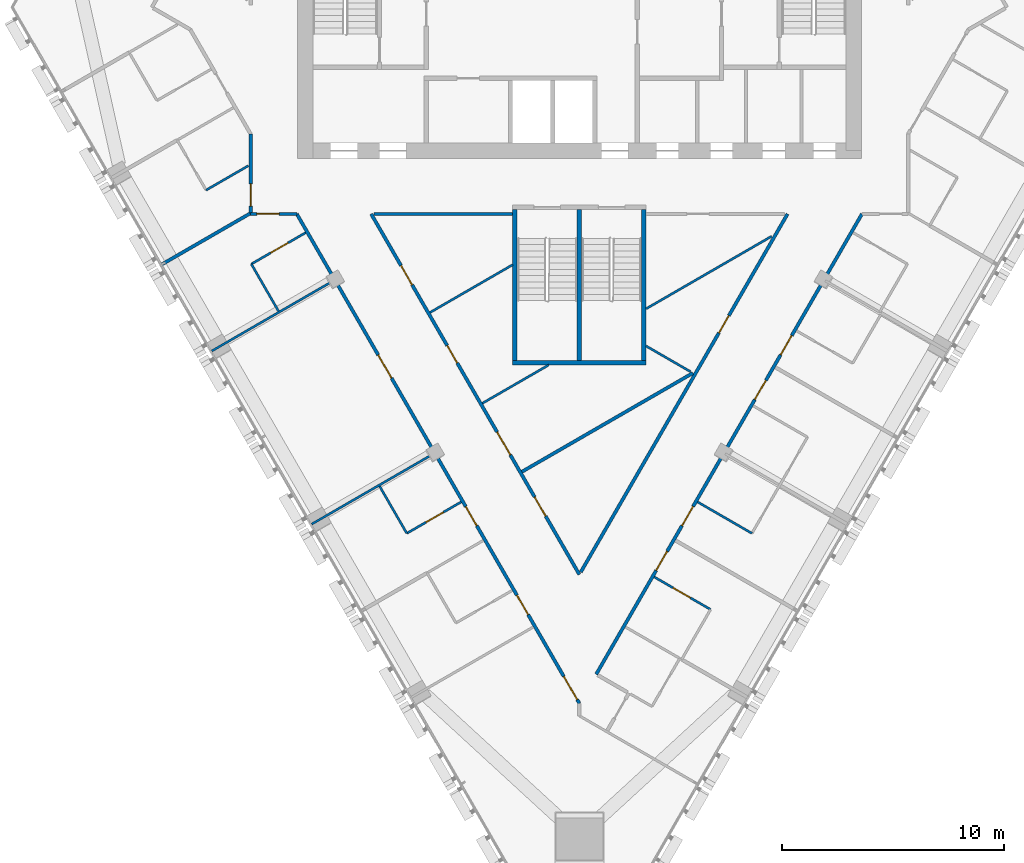
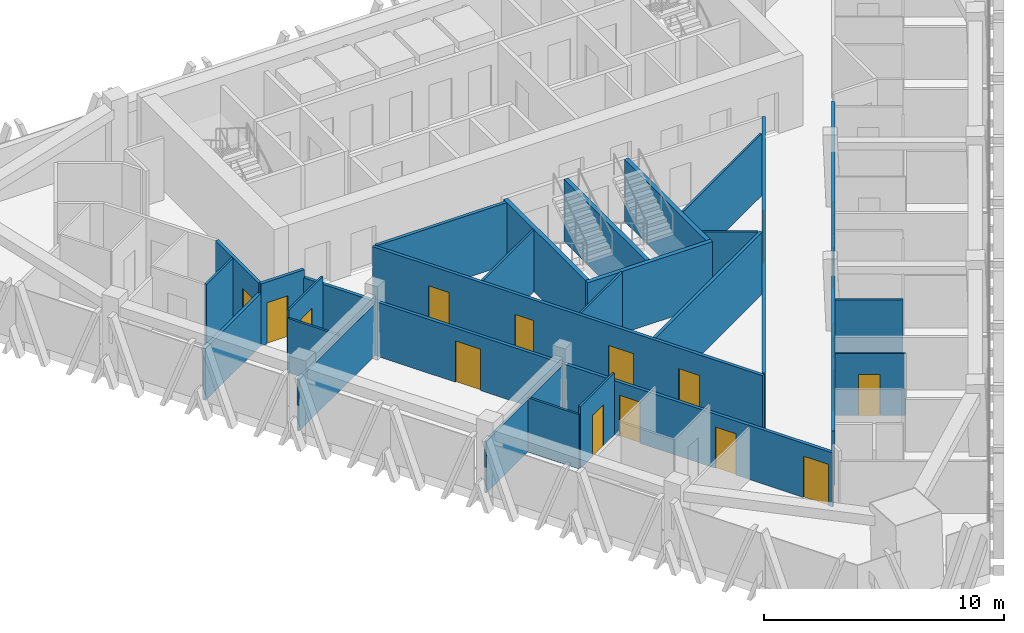
# One storey, part 9 of 16: 26 walls, 18 doors, 18 openings.
"""IFC4 building model written with IfcOpenShell, lengths in metres."""

from ifc_helpers import new_model, si_unit, direction, frame, frame_2d, origin, place, context, subcontext, project, spatial, rectangle, extrude, material, layer, layer_set, type_object, element, fill, save


model = new_model("IFC4")

# Units and contexts
model_context = context("Model", 3, precision=1e-05, world=origin(), true_north=direction((0.0, 1.0)))
body_context = subcontext(model_context, "Body", "Model", "MODEL_VIEW")
ifc_project = project(units=[si_unit("LENGTHUNIT", "METRE"), si_unit("AREAUNIT", "SQUARE_METRE"), si_unit("VOLUMEUNIT", "CUBIC_METRE"), si_unit("PLANEANGLEUNIT", "RADIAN"), si_unit("MASSUNIT", "GRAM", prefix="KILO")], contexts=[model_context])

# Site, building, storey
site_placement = place(None, origin())
site = spatial("IfcSite", under=ifc_project, at=site_placement, CompositionType="ELEMENT")
building_placement = place(site_placement, origin())
building = spatial("IfcBuilding", under=site, at=building_placement, Name="Altiplano Prism Tower", CompositionType="ELEMENT")
storey_placement = place(building_placement, frame((0.0, 0.0, 198.0)))
storey = spatial("IfcBuildingStorey", under=building, at=storey_placement, Name="L51", CompositionType="ELEMENT", Elevation=198.0)

# Walls
ifc_material_1 = material(Name="Plasterboard on steel stud", Category="steel")
ifc_layer_1 = layer(ifc_material_1, 0.10009765625)
ifc_layer_set_1 = layer_set([ifc_layer_1], Name="Plasterboard on steel stud")
wall_type_1 = type_object("IfcWallType", Name="Partition 100 unit", PredefinedType="PARTITIONING", material=ifc_layer_set_1)
wall_1_placement = place(storey_placement, frame((70.10009765625, 92.37109375, 0.0), z_axis=(0.0, 0.0, 1.0), x_axis=(-0.865995312553, -0.50005211592, 0.0)))
element("IfcWall", 1, at=wall_1_placement, inside=storey, type_object=wall_type_1, Name="Partition P02 L51 038", PredefinedType="PARTITIONING", context=body_context, shape_type="SweptSolid", body=[
    extrude(rectangle(XDim=2.200927734375, YDim=0.10009765625, at=frame_2d((1.1005859375, 0.0))), origin(), (0.0, 0.0, 1.0), 3.14990234375),
])
wall_2_placement = place(storey_placement, frame((71.45556640625, 85.8212890625, 0.0), z_axis=(0.0, 0.0, 1.0), x_axis=(-0.499943856944, 0.866057815567, 0.0)))
element("IfcWall", 2, at=wall_2_placement, inside=storey, type_object=wall_type_1, Name="Partition P02 L51 041", PredefinedType="PARTITIONING", context=body_context, shape_type="SweptSolid", body=[
    extrude(rectangle(XDim=2.449951171875, YDim=0.10009765625, at=frame_2d((1.22509765625, 0.0))), origin(), (0.0, 0.0, 1.0), 2.75),
])

# Wall, opening, door
wall_3_placement = place(storey_placement, frame((70.230712890625, 87.943115234375, 0.0), z_axis=(0.0, 0.0, 1.0), x_axis=(0.866011447264, 0.500024172624, 0.0)))
wall_3 = element("IfcWall", 3, at=wall_3_placement, inside=storey, type_object=wall_type_1, Name="Partition P02 L51 042", PredefinedType="PARTITIONING", context=body_context, shape_type="SweptSolid", body=[
    extrude(rectangle(XDim=2.824951171875, YDim=0.10009765625, at=frame_2d((1.41259765625, 0.0))), origin(), (0.0, 0.0, 1.0), 3.14990234375),
])
opening_1_placement = place(wall_3_placement, frame((1.0, 0.0, 0.0)))
opening_1 = element("IfcOpeningElement", 4, at=opening_1_placement, cuts=wall_3, Name="Opening D1783", PredefinedType="OPENING", context=body_context, shape_type="SweptSolid", body=[
    extrude(rectangle(XDim=0.89990234375, YDim=2.10009765625, at=frame_2d((0.449951171875, 1.050048828125))), frame((0.0, 0.060546875, 0.0), z_axis=(0.0, -1.0, 0.0), x_axis=(1.0, 0.0, 0.0)), (0.0, 0.0, 1.0), 0.12109375),
])
ifc_material_2 = material(Name="Timber", Category="wood")
door_type_1 = type_object("IfcDoorType", Name="Ensuite door 900 x 2100", OperationType="NOTDEFINED", PredefinedType="NOTDEFINED", material=ifc_material_2)
door_1_placement = place(opening_1_placement, origin())
door_1 = element("IfcDoor", 5, at=door_1_placement, inside=storey, type_object=door_type_1, Name="Door D1783", OperationType="SINGLE_SWING_LEFT", OverallHeight=2.10009765625, OverallWidth=0.89990234375, PredefinedType="NOTDEFINED", context=body_context, shape_type="SweptSolid", body=[
    extrude(rectangle(XDim=0.89990234375, YDim=2.10009765625, at=frame_2d((0.449951171875, 1.050048828125))), frame((0.0, 0.02490234375, 0.0), z_axis=(0.0, -1.0, 0.0), x_axis=(1.0, 0.0, 0.0)), (0.0, 0.0, 1.0), 0.050048828125),
])
fill(opening_1, door_1)

wall_4_placement = place(storey_placement, frame((79.67724609375, 77.231201171875, 0.0), z_axis=(0.0, 0.0, 1.0), x_axis=(-0.866048868473, -0.499959355765, 0.0)))
wall_4 = element("IfcWall", 6, at=wall_4_placement, inside=storey, type_object=wall_type_1, Name="Partition P02 L51 045", PredefinedType="PARTITIONING", context=body_context, shape_type="SweptSolid", body=[
    extrude(rectangle(XDim=2.824951171875, YDim=0.10009765625, at=frame_2d((1.41259765625, 0.0))), origin(), (0.0, 0.0, 1.0), 3.14990234375),
])
opening_2_placement = place(wall_4_placement, frame((0.925048828125, 0.0, 0.0)))
opening_2 = element("IfcOpeningElement", 7, at=opening_2_placement, cuts=wall_4, Name="Opening D1786", PredefinedType="OPENING", context=body_context, shape_type="SweptSolid", body=[
    extrude(rectangle(XDim=0.89990234375, YDim=2.10009765625, at=frame_2d((0.449951171875, 1.050048828125))), frame((0.0, 0.060546875, 0.0), z_axis=(0.0, -1.0, 0.0), x_axis=(1.0, 0.0, 0.0)), (0.0, 0.0, 1.0), 0.12109375),
])
door_2_placement = place(opening_2_placement, origin())
door_2 = element("IfcDoor", 8, at=door_2_placement, inside=storey, type_object=door_type_1, Name="Door D1786", OperationType="SINGLE_SWING_LEFT", OverallHeight=2.10009765625, OverallWidth=0.89990234375, PredefinedType="NOTDEFINED", context=body_context, shape_type="SweptSolid", body=[
    extrude(rectangle(XDim=0.89990234375, YDim=2.10009765625, at=frame_2d((0.449951171875, 1.050048828125))), frame((0.0, 0.02490234375, 0.0), z_axis=(0.0, -1.0, 0.0), x_axis=(1.0, 0.0, 0.0)), (0.0, 0.0, 1.0), 0.050048828125),
])
fill(opening_2, door_2)

# Wall
wall_5_placement = place(storey_placement, frame((77.230712890625, 75.81884765625, 0.0), z_axis=(0.0, 0.0, 1.0), x_axis=(-0.500061746146, 0.865989751695, 0.0)))
element("IfcWall", 9, at=wall_5_placement, inside=storey, type_object=wall_type_1, Name="Partition P02 L51 046", PredefinedType="PARTITIONING", context=body_context, shape_type="SweptSolid", body=[
    extrude(rectangle(XDim=2.449951171875, YDim=0.10009765625, at=frame_2d((1.22509765625, 0.0))), origin(), (0.0, 0.0, 1.0), 2.75),
])

# Wall, opening, door
wall_6_placement = place(storey_placement, frame((88.372802734375, 73.853759765625, 0.0), z_axis=(0.0, 0.0, 1.0), x_axis=(0.866046596414, -0.499963291492, 0.0)))
wall_6 = element("IfcWall", 10, at=wall_6_placement, inside=storey, type_object=wall_type_1, Name="Partition P02 L51 057", PredefinedType="PARTITIONING", context=body_context, shape_type="SweptSolid", body=[
    extrude(rectangle(XDim=2.925048828125, YDim=0.10009765625, at=frame_2d((1.46240234375, 0.0))), origin(), (0.0, 0.0, 1.0), 3.14990234375),
])
opening_3_placement = place(wall_6_placement, frame((0.97509765625, 0.0, 0.0)))
opening_3 = element("IfcOpeningElement", 11, at=opening_3_placement, cuts=wall_6, Name="Opening D1793", PredefinedType="OPENING", context=body_context, shape_type="SweptSolid", body=[
    extrude(rectangle(XDim=0.89990234375, YDim=2.10009765625, at=frame_2d((0.449951171875, 1.050048828125))), frame((0.0, 0.060546875, 0.0), z_axis=(0.0, -1.0, 0.0), x_axis=(1.0, 0.0, 0.0)), (0.0, 0.0, 1.0), 0.12109375),
])
door_3_placement = place(opening_3_placement, origin())
door_3 = element("IfcDoor", 12, at=door_3_placement, inside=storey, type_object=door_type_1, Name="Door D1793", OperationType="SINGLE_SWING_RIGHT", OverallHeight=2.10009765625, OverallWidth=0.89990234375, PredefinedType="NOTDEFINED", context=body_context, shape_type="SweptSolid", body=[
    extrude(rectangle(XDim=0.89990234375, YDim=2.10009765625, at=frame_2d((0.449951171875, 1.050048828125))), frame((0.0, 0.02490234375, 0.0), z_axis=(0.0, -1.0, 0.0), x_axis=(1.0, 0.0, 0.0)), (0.0, 0.0, 1.0), 0.050048828125),
])
fill(opening_3, door_3)

# Walls
wall_7_placement = place(storey_placement, frame((92.769287109375, 75.81884765625, 0.0), z_axis=(0.0, 0.0, 1.0), x_axis=(-0.866048868473, 0.499959355765, 0.0)))
element("IfcWall", 13, at=wall_7_placement, inside=storey, type_object=wall_type_1, Name="Partition P02 L51 060", PredefinedType="PARTITIONING", context=body_context, shape_type="SweptSolid", body=[
    extrude(rectangle(XDim=2.824951171875, YDim=0.10009765625, at=frame_2d((1.41259765625, 0.0))), origin(), (0.0, 0.0, 1.0), 3.14990234375),
])
ifc_layer_2 = layer(ifc_material_1, 0.10009765625)
ifc_layer_set_2 = layer_set([ifc_layer_2], Name="Plasterboard on steel stud")
wall_type_2 = type_object("IfcWallType", Name="Partition 100 wet", PredefinedType="PARTITIONING", material=ifc_layer_set_2)
wall_8_placement = place(storey_placement, frame((93.656005859375, 89.193115234375, 0.0), z_axis=(0.0, 0.0, 1.0), x_axis=(-0.866016884399, -0.500014755718, 0.0)))
element("IfcWall", 14, at=wall_8_placement, inside=storey, type_object=wall_type_2, Name="Partition P03 L51 028", PredefinedType="PARTITIONING", context=body_context, shape_type="SweptSolid", body=[
    extrude(rectangle(XDim=6.531005859375, YDim=0.10009765625, at=frame_2d((3.265625, 0.0))), origin(), (0.0, 0.0, 1.0), 3.14990234375),
])
wall_9_placement = place(storey_placement, frame((88.0, 84.25390625, 0.0), z_axis=(0.0, 0.0, 1.0), x_axis=(0.866020945878, -0.500007721242, 0.0)))
element("IfcWall", 15, at=wall_9_placement, inside=storey, type_object=wall_type_2, Name="Partition P03 L51 029", PredefinedType="PARTITIONING", context=body_context, shape_type="SweptSolid", body=[
    extrude(rectangle(XDim=2.3212890625, YDim=0.10009765625, at=frame_2d((1.16064453125, 0.0))), origin(), (0.0, 0.0, 1.0), 3.14990234375),
])
wall_10_placement = place(storey_placement, frame((82.0, 87.912353515625, 0.0), z_axis=(0.0, 0.0, 1.0), x_axis=(-0.866016384689, -0.500015621205, 0.0)))
element("IfcWall", 16, at=wall_10_placement, inside=storey, type_object=wall_type_2, Name="Partition P03 L51 030", PredefinedType="PARTITIONING", context=body_context, shape_type="SweptSolid", body=[
    extrude(rectangle(XDim=4.301025390625, YDim=0.10009765625, at=frame_2d((2.150390625, 0.0))), origin(), (0.0, 0.0, 1.0), 3.14990234375),
])
wall_11_placement = place(storey_placement, frame((80.634521484375, 81.675048828125, 0.0), z_axis=(0.0, 0.0, 1.0), x_axis=(0.86602648383, 0.499998129301, 0.0)))
element("IfcWall", 17, at=wall_11_placement, inside=storey, type_object=wall_type_2, Name="Partition P03 L51 031", PredefinedType="PARTITIONING", context=body_context, shape_type="SweptSolid", body=[
    extrude(rectangle(XDim=3.44970703125, YDim=0.10009765625, at=frame_2d((1.724853515625, 0.0))), origin(), (0.0, 0.0, 1.0), 3.14990234375),
])
for number, where, z_axis, x_axis, name in (
    (18, (68.449462890625, 84.028076171875, 0.0), (0.0, 0.0, 1.0), (0.866025537322, 0.499999768706, 0.0), "Partition P03 L51 043"),
    (19, (72.949462890625, 76.23388671875, 0.0), (0.0, 0.0, 1.0), (0.866042250622, 0.499970819286, 0.0), "Partition P03 L51 044"),
):
    element("IfcWall", number, at=place(storey_placement, frame(where, z_axis=z_axis, x_axis=x_axis)), inside=storey, type_object=wall_type_2, Name=name, PredefinedType="PARTITIONING", context=body_context, shape_type="SweptSolid", body=[
        extrude(rectangle(XDim=6.3251953125, YDim=0.10009765625, at=frame_2d((3.16259765625, 0.0))), origin(), (0.0, 0.0, 1.0), 2.64990234375),
    ])

# Wall, openings, doors
ifc_layer_3 = layer(ifc_material_1, 0.14990234375)
ifc_layer_set_3 = layer_set([ifc_layer_3], Name="Plasterboard on steel stud")
wall_type_3 = type_object("IfcWallType", Name="Partition 150 corridor", PredefinedType="PARTITIONING", material=ifc_layer_set_3)
wall_12_placement = place(storey_placement, frame((85.0, 73.9638671875, 0.0), z_axis=(0.0, 0.0, 1.0), x_axis=(-0.499997894635, 0.866026619314, 0.0)))
wall_12 = element("IfcWall", 20, at=wall_12_placement, inside=storey, type_object=wall_type_3, Name="Partition P06 L51 002", PredefinedType="PARTITIONING", context=body_context, shape_type="SweptSolid", body=[
    extrude(rectangle(XDim=18.74658203125, YDim=0.14990234375, at=frame_2d((9.373291015625, 0.0))), origin(), (0.0, 0.0, 1.0), 3.14990234375),
])
opening_4_placement = place(wall_12_placement, frame((11.001953125, 0.0, 0.0)))
opening_4 = element("IfcOpeningElement", 21, at=opening_4_placement, cuts=wall_12, Name="Opening D1775", PredefinedType="OPENING", context=body_context, shape_type="SweptSolid", body=[
    extrude(rectangle(XDim=0.89990234375, YDim=2.10009765625, at=frame_2d((0.449951171875, 1.050048828125))), frame((0.0, 0.08544921875, 0.0), z_axis=(0.0, -1.0, 0.0), x_axis=(1.0, 0.0, 0.0)), (0.0, 0.0, 1.0), 0.1708984375),
])
opening_5_placement = place(wall_12_placement, frame((15.06103515625, 0.0, 0.0)))
opening_5 = element("IfcOpeningElement", 22, at=opening_5_placement, cuts=wall_12, Name="Opening D1777", PredefinedType="OPENING", context=body_context, shape_type="SweptSolid", body=[
    extrude(rectangle(XDim=1.0, YDim=2.10009765625, at=frame_2d((0.5, 1.050048828125))), frame((0.0, 0.08544921875, 0.0), z_axis=(0.0, -1.0, 0.0), x_axis=(1.0, 0.0, 0.0)), (0.0, 0.0, 1.0), 0.1708984375),
])
opening_6_placement = place(wall_12_placement, frame((3.032958984375, 0.0, 0.0)))
opening_6 = element("IfcOpeningElement", 23, at=opening_6_placement, cuts=wall_12, Name="Opening D1808", PredefinedType="OPENING", context=body_context, shape_type="SweptSolid", body=[
    extrude(rectangle(XDim=1.0, YDim=2.10009765625, at=frame_2d((0.5, 1.050048828125))), frame((0.0, 0.08544921875, 0.0), z_axis=(0.0, -1.0, 0.0), x_axis=(1.0, 0.0, 0.0)), (0.0, 0.0, 1.0), 0.1708984375),
])
opening_7_placement = place(wall_12_placement, frame((6.212890625, 0.0, 0.0)))
opening_7 = element("IfcOpeningElement", 24, at=opening_7_placement, cuts=wall_12, Name="Opening D1809", PredefinedType="OPENING", context=body_context, shape_type="SweptSolid", body=[
    extrude(rectangle(XDim=1.199951171875, YDim=2.10009765625, at=frame_2d((0.60009765625, 1.050048828125))), frame((0.0, 0.08544921875, 0.0), z_axis=(0.0, -1.0, 0.0), x_axis=(1.0, 0.0, 0.0)), (0.0, 0.0, 1.0), 0.1708984375),
])
door_type_2 = type_object("IfcDoorType", Name="Shared room door 1200 x 2100", OperationType="NOTDEFINED", PredefinedType="NOTDEFINED", material=ifc_material_2)
door_4_placement = place(opening_7_placement, origin())
door_4 = element("IfcDoor", 25, at=door_4_placement, inside=storey, type_object=door_type_2, Name="Door D1809", OperationType="SINGLE_SWING_RIGHT", OverallHeight=2.10009765625, OverallWidth=1.199951171875, PredefinedType="NOTDEFINED", context=body_context, shape_type="SweptSolid", body=[
    extrude(rectangle(XDim=1.199951171875, YDim=2.10009765625, at=frame_2d((0.60009765625, 1.050048828125))), frame((0.0, 0.02490234375, 0.0), z_axis=(0.0, -1.0, 0.0), x_axis=(1.0, 0.0, 0.0)), (0.0, 0.0, 1.0), 0.050048828125),
])
fill(opening_7, door_4)
door_type_3 = type_object("IfcDoorType", Name="Store door 1000 x 2100", OperationType="NOTDEFINED", PredefinedType="NOTDEFINED", material=ifc_material_2)
door_5_placement = place(opening_5_placement, origin())
door_5 = element("IfcDoor", 26, at=door_5_placement, inside=storey, type_object=door_type_3, Name="Door D1777", OperationType="SINGLE_SWING_LEFT", OverallHeight=2.10009765625, OverallWidth=1.0, PredefinedType="NOTDEFINED", context=body_context, shape_type="SweptSolid", body=[
    extrude(rectangle(XDim=1.0, YDim=2.10009765625, at=frame_2d((0.5, 1.050048828125))), frame((0.0, 0.02490234375, 0.0), z_axis=(0.0, -1.0, 0.0), x_axis=(1.0, 0.0, 0.0)), (0.0, 0.0, 1.0), 0.050048828125),
])
fill(opening_5, door_5)
door_6_placement = place(opening_6_placement, origin())
door_6 = element("IfcDoor", 27, at=door_6_placement, inside=storey, type_object=door_type_3, Name="Door D1808", OperationType="SINGLE_SWING_RIGHT", OverallHeight=2.10009765625, OverallWidth=1.0, PredefinedType="NOTDEFINED", context=body_context, shape_type="SweptSolid", body=[
    extrude(rectangle(XDim=1.0, YDim=2.10009765625, at=frame_2d((0.5, 1.050048828125))), frame((0.0, 0.02490234375, 0.0), z_axis=(0.0, -1.0, 0.0), x_axis=(1.0, 0.0, 0.0)), (0.0, 0.0, 1.0), 0.050048828125),
])
fill(opening_6, door_6)
door_type_4 = type_object("IfcDoorType", Name="Toilet door 900 x 2100", OperationType="NOTDEFINED", PredefinedType="NOTDEFINED", material=ifc_material_2)
door_7_placement = place(opening_4_placement, origin())
door_7 = element("IfcDoor", 28, at=door_7_placement, inside=storey, type_object=door_type_4, Name="Door D1775", OperationType="SINGLE_SWING_RIGHT", OverallHeight=2.10009765625, OverallWidth=0.89990234375, PredefinedType="NOTDEFINED", context=body_context, shape_type="SweptSolid", body=[
    extrude(rectangle(XDim=0.89990234375, YDim=2.10009765625, at=frame_2d((0.449951171875, 1.050048828125))), frame((0.0, 0.02490234375, 0.0), z_axis=(0.0, -1.0, 0.0), x_axis=(1.0, 0.0, 0.0)), (0.0, 0.0, 1.0), 0.050048828125),
])
fill(opening_4, door_7)

# Wall
wall_13_placement = place(storey_placement, frame((75.756591796875, 90.198974609375, 0.0), z_axis=(0.0, 0.0, 1.0), x_axis=(1.0, 0.0, 0.0)))
element("IfcWall", 29, at=wall_13_placement, inside=storey, type_object=wall_type_3, Name="Partition P06 L51 003", PredefinedType="PARTITIONING", context=body_context, shape_type="SweptSolid", body=[
    extrude(rectangle(XDim=6.243408203125, YDim=0.14990234375, at=frame_2d((3.12158203125, 0.0))), origin(), (0.0, 0.0, 1.0), 3.14990234375),
])

# Wall, opening, door
wall_14_placement = place(storey_placement, frame((70.199951171875, 93.796142578125, 0.0), z_axis=(0.0, 0.0, 1.0), x_axis=(0.0, -1.0, 0.0)))
wall_14 = element("IfcWall", 30, at=wall_14_placement, inside=storey, type_object=wall_type_3, Name="Partition P06 L51 005", PredefinedType="PARTITIONING", context=body_context, shape_type="SweptSolid", body=[
    extrude(rectangle(XDim=3.561279296875, YDim=0.14990234375, at=frame_2d((1.78076171875, 0.0))), origin(), (0.0, 0.0, 1.0), 3.14990234375),
])
opening_8_placement = place(wall_14_placement, frame((2.24609375, 0.0, 0.0)))
opening_8 = element("IfcOpeningElement", 31, at=opening_8_placement, cuts=wall_14, Name="Opening D1780", PredefinedType="OPENING", context=body_context, shape_type="SweptSolid", body=[
    extrude(rectangle(XDim=1.0, YDim=2.10009765625, at=frame_2d((0.5, 1.050048828125))), frame((0.0, 0.08544921875, 0.0), z_axis=(0.0, -1.0, 0.0), x_axis=(1.0, 0.0, 0.0)), (0.0, 0.0, 1.0), 0.1708984375),
])
door_type_5 = type_object("IfcDoorType", Name="Bedroom entrance door 1000 x 2100", OperationType="NOTDEFINED", PredefinedType="NOTDEFINED", material=ifc_material_2)
door_8_placement = place(opening_8_placement, origin())
door_8 = element("IfcDoor", 32, at=door_8_placement, inside=storey, type_object=door_type_5, Name="Door D1780", OperationType="SINGLE_SWING_RIGHT", OverallHeight=2.10009765625, OverallWidth=1.0, PredefinedType="NOTDEFINED", context=body_context, shape_type="SweptSolid", body=[
    extrude(rectangle(XDim=1.0, YDim=2.10009765625, at=frame_2d((0.5, 1.050048828125))), frame((0.0, 0.02490234375, 0.0), z_axis=(0.0, -1.0, 0.0), x_axis=(1.0, 0.0, 0.0)), (0.0, 0.0, 1.0), 0.050048828125),
])
fill(opening_8, door_8)

wall_15_placement = place(storey_placement, frame((70.199951171875, 90.199951171875, 0.0), z_axis=(0.0, 0.0, 1.0), x_axis=(1.0, 0.0, 0.0)))
wall_15 = element("IfcWall", 33, at=wall_15_placement, inside=storey, type_object=wall_type_3, Name="Partition P06 L51 006", PredefinedType="PARTITIONING", context=body_context, shape_type="SweptSolid", body=[
    extrude(rectangle(XDim=2.076416015625, YDim=0.14990234375, at=frame_2d((1.0380859375, 0.0))), origin(), (0.0, 0.0, 1.0), 3.14990234375),
])
opening_9_placement = place(wall_15_placement, frame((0.279052734375, 0.0, 0.0)))
opening_9 = element("IfcOpeningElement", 34, at=opening_9_placement, cuts=wall_15, Name="Opening D1782", PredefinedType="OPENING", context=body_context, shape_type="SweptSolid", body=[
    extrude(rectangle(XDim=1.0, YDim=2.10009765625, at=frame_2d((0.5, 1.050048828125))), frame((0.0, 0.08544921875, 0.0), z_axis=(0.0, -1.0, 0.0), x_axis=(1.0, 0.0, 0.0)), (0.0, 0.0, 1.0), 0.1708984375),
])
door_9_placement = place(opening_9_placement, origin())
door_9 = element("IfcDoor", 35, at=door_9_placement, inside=storey, type_object=door_type_5, Name="Door D1782", OperationType="SINGLE_SWING_RIGHT", OverallHeight=2.10009765625, OverallWidth=1.0, PredefinedType="NOTDEFINED", context=body_context, shape_type="SweptSolid", body=[
    extrude(rectangle(XDim=1.0, YDim=2.10009765625, at=frame_2d((0.5, 1.050048828125))), frame((0.0, 0.02490234375, 0.0), z_axis=(0.0, -1.0, 0.0), x_axis=(1.0, 0.0, 0.0)), (0.0, 0.0, 1.0), 0.050048828125),
])
fill(opening_9, door_9)

# Wall, openings, doors
wall_16_placement = place(storey_placement, frame((72.2763671875, 90.199951171875, 0.0), z_axis=(0.0, 0.0, 1.0), x_axis=(0.499998171638, -0.866026459387, 0.0)))
wall_16 = element("IfcWall", 36, at=wall_16_placement, inside=storey, type_object=wall_type_3, Name="Partition P06 L51 007", PredefinedType="PARTITIONING", context=body_context, shape_type="SweptSolid", body=[
    extrude(rectangle(XDim=25.447265625, YDim=0.14990234375, at=frame_2d((12.7236328125, 0.0))), origin(), (0.0, 0.0, 1.0), 2.75),
])
opening_10_placement = place(wall_16_placement, frame((7.33203125, 0.0, 0.0)))
opening_10 = element("IfcOpeningElement", 37, at=opening_10_placement, cuts=wall_16, Name="Opening D1784", PredefinedType="OPENING", context=body_context, shape_type="SweptSolid", body=[
    extrude(rectangle(XDim=1.199951171875, YDim=2.10009765625, at=frame_2d((0.60009765625, 1.050048828125))), frame((0.0, 0.08544921875, 0.0), z_axis=(0.0, -1.0, 0.0), x_axis=(1.0, 0.0, 0.0)), (0.0, 0.0, 1.0), 0.1708984375),
])
opening_11_placement = place(wall_16_placement, frame((15.2109375, 0.0, 0.0)))
opening_11 = element("IfcOpeningElement", 38, at=opening_11_placement, cuts=wall_16, Name="Opening D1785", PredefinedType="OPENING", context=body_context, shape_type="SweptSolid", body=[
    extrude(rectangle(XDim=1.0, YDim=2.10009765625, at=frame_2d((0.5, 1.050048828125))), frame((0.0, 0.08544921875, 0.0), z_axis=(0.0, -1.0, 0.0), x_axis=(1.0, 0.0, 0.0)), (0.0, 0.0, 1.0), 0.1708984375),
])
opening_12_placement = place(wall_16_placement, frame((19.826904296875, 0.0, 0.0)))
opening_12 = element("IfcOpeningElement", 39, at=opening_12_placement, cuts=wall_16, Name="Opening D1787", PredefinedType="OPENING", context=body_context, shape_type="SweptSolid", body=[
    extrude(rectangle(XDim=1.0, YDim=2.10009765625, at=frame_2d((0.5, 1.050048828125))), frame((0.0, 0.08544921875, 0.0), z_axis=(0.0, -1.0, 0.0), x_axis=(1.0, 0.0, 0.0)), (0.0, 0.0, 1.0), 0.1708984375),
])
opening_13_placement = place(wall_16_placement, frame((24.047119140625, 0.0, 0.0)))
opening_13 = element("IfcOpeningElement", 40, at=opening_13_placement, cuts=wall_16, Name="Opening D1789", PredefinedType="OPENING", context=body_context, shape_type="SweptSolid", body=[
    extrude(rectangle(XDim=1.199951171875, YDim=2.10009765625, at=frame_2d((0.60009765625, 1.050048828125))), frame((0.0, 0.08544921875, 0.0), z_axis=(0.0, -1.0, 0.0), x_axis=(1.0, 0.0, 0.0)), (0.0, 0.0, 1.0), 0.1708984375),
])
door_10_placement = place(opening_11_placement, origin())
door_10 = element("IfcDoor", 41, at=door_10_placement, inside=storey, type_object=door_type_5, Name="Door D1785", OperationType="SINGLE_SWING_LEFT", OverallHeight=2.10009765625, OverallWidth=1.0, PredefinedType="NOTDEFINED", context=body_context, shape_type="SweptSolid", body=[
    extrude(rectangle(XDim=1.0, YDim=2.10009765625, at=frame_2d((0.5, 1.050048828125))), frame((0.0, 0.02490234375, 0.0), z_axis=(0.0, -1.0, 0.0), x_axis=(1.0, 0.0, 0.0)), (0.0, 0.0, 1.0), 0.050048828125),
])
fill(opening_11, door_10)
door_11_placement = place(opening_12_placement, origin())
door_11 = element("IfcDoor", 42, at=door_11_placement, inside=storey, type_object=door_type_5, Name="Door D1787", OperationType="SINGLE_SWING_LEFT", OverallHeight=2.10009765625, OverallWidth=1.0, PredefinedType="NOTDEFINED", context=body_context, shape_type="SweptSolid", body=[
    extrude(rectangle(XDim=1.0, YDim=2.10009765625, at=frame_2d((0.5, 1.050048828125))), frame((0.0, 0.02490234375, 0.0), z_axis=(0.0, -1.0, 0.0), x_axis=(1.0, 0.0, 0.0)), (0.0, 0.0, 1.0), 0.050048828125),
])
fill(opening_12, door_11)
door_12_placement = place(opening_10_placement, origin())
door_12 = element("IfcDoor", 43, at=door_12_placement, inside=storey, type_object=door_type_2, Name="Door D1784", OperationType="SINGLE_SWING_LEFT", OverallHeight=2.10009765625, OverallWidth=1.199951171875, PredefinedType="NOTDEFINED", context=body_context, shape_type="SweptSolid", body=[
    extrude(rectangle(XDim=1.199951171875, YDim=2.10009765625, at=frame_2d((0.60009765625, 1.050048828125))), frame((0.0, 0.02490234375, 0.0), z_axis=(0.0, -1.0, 0.0), x_axis=(1.0, 0.0, 0.0)), (0.0, 0.0, 1.0), 0.050048828125),
])
fill(opening_10, door_12)
door_13_placement = place(opening_13_placement, origin())
door_13 = element("IfcDoor", 44, at=door_13_placement, inside=storey, type_object=door_type_2, Name="Door D1789", OperationType="SINGLE_SWING_LEFT", OverallHeight=2.10009765625, OverallWidth=1.199951171875, PredefinedType="NOTDEFINED", context=body_context, shape_type="SweptSolid", body=[
    extrude(rectangle(XDim=1.199951171875, YDim=2.10009765625, at=frame_2d((0.60009765625, 1.050048828125))), frame((0.0, 0.02490234375, 0.0), z_axis=(0.0, -1.0, 0.0), x_axis=(1.0, 0.0, 0.0)), (0.0, 0.0, 1.0), 0.050048828125),
])
fill(opening_13, door_13)

wall_17_placement = place(storey_placement, frame((85.7578125, 69.474609375, 0.0), z_axis=(0.0, 0.0, 1.0), x_axis=(0.500001211172, 0.866024704513, 0.0)))
wall_17 = element("IfcWall", 45, at=wall_17_placement, inside=storey, type_object=wall_type_3, Name="Partition P06 L51 011", PredefinedType="PARTITIONING", context=body_context, shape_type="SweptSolid", body=[
    extrude(rectangle(XDim=23.931640625, YDim=0.14990234375, at=frame_2d((11.9658203125, 0.0))), origin(), (0.0, 0.0, 1.0), 2.75),
])
opening_14_placement = place(wall_17_placement, frame((5.39501953125, 0.0, 0.0)))
opening_14 = element("IfcOpeningElement", 46, at=opening_14_placement, cuts=wall_17, Name="Opening D1792", PredefinedType="OPENING", context=body_context, shape_type="SweptSolid", body=[
    extrude(rectangle(XDim=1.0, YDim=2.10009765625, at=frame_2d((0.5, 1.050048828125))), frame((0.0, 0.08544921875, 0.0), z_axis=(0.0, -1.0, 0.0), x_axis=(1.0, 0.0, 0.0)), (0.0, 0.0, 1.0), 0.1708984375),
])
opening_15_placement = place(wall_17_placement, frame((7.719970703125, 0.0, 0.0)))
opening_15 = element("IfcOpeningElement", 47, at=opening_15_placement, cuts=wall_17, Name="Opening D1794", PredefinedType="OPENING", context=body_context, shape_type="SweptSolid", body=[
    extrude(rectangle(XDim=1.0, YDim=2.10009765625, at=frame_2d((0.5, 1.050048828125))), frame((0.0, 0.08544921875, 0.0), z_axis=(0.0, -1.0, 0.0), x_axis=(1.0, 0.0, 0.0)), (0.0, 0.0, 1.0), 0.1708984375),
])
opening_16_placement = place(wall_17_placement, frame((14.280029296875, 0.0, 0.0)))
opening_16 = element("IfcOpeningElement", 48, at=opening_16_placement, cuts=wall_17, Name="Opening D1796", PredefinedType="OPENING", context=body_context, shape_type="SweptSolid", body=[
    extrude(rectangle(XDim=1.0, YDim=2.10009765625, at=frame_2d((0.5, 1.050048828125))), frame((0.0, 0.08544921875, 0.0), z_axis=(0.0, -1.0, 0.0), x_axis=(1.0, 0.0, 0.0)), (0.0, 0.0, 1.0), 0.1708984375),
])
opening_17_placement = place(wall_17_placement, frame((16.60498046875, 0.0, 0.0)))
opening_17 = element("IfcOpeningElement", 49, at=opening_17_placement, cuts=wall_17, Name="Opening D1798", PredefinedType="OPENING", context=body_context, shape_type="SweptSolid", body=[
    extrude(rectangle(XDim=1.0, YDim=2.10009765625, at=frame_2d((0.5, 1.050048828125))), frame((0.0, 0.08544921875, 0.0), z_axis=(0.0, -1.0, 0.0), x_axis=(1.0, 0.0, 0.0)), (0.0, 0.0, 1.0), 0.1708984375),
])
door_14_placement = place(opening_14_placement, origin())
door_14 = element("IfcDoor", 50, at=door_14_placement, inside=storey, type_object=door_type_5, Name="Door D1792", OperationType="SINGLE_SWING_LEFT", OverallHeight=2.10009765625, OverallWidth=1.0, PredefinedType="NOTDEFINED", context=body_context, shape_type="SweptSolid", body=[
    extrude(rectangle(XDim=1.0, YDim=2.10009765625, at=frame_2d((0.5, 1.050048828125))), frame((0.0, 0.02490234375, 0.0), z_axis=(0.0, -1.0, 0.0), x_axis=(1.0, 0.0, 0.0)), (0.0, 0.0, 1.0), 0.050048828125),
])
fill(opening_14, door_14)
door_15_placement = place(opening_15_placement, origin())
door_15 = element("IfcDoor", 51, at=door_15_placement, inside=storey, type_object=door_type_5, Name="Door D1794", OperationType="SINGLE_SWING_RIGHT", OverallHeight=2.10009765625, OverallWidth=1.0, PredefinedType="NOTDEFINED", context=body_context, shape_type="SweptSolid", body=[
    extrude(rectangle(XDim=1.0, YDim=2.10009765625, at=frame_2d((0.5, 1.050048828125))), frame((0.0, 0.02490234375, 0.0), z_axis=(0.0, -1.0, 0.0), x_axis=(1.0, 0.0, 0.0)), (0.0, 0.0, 1.0), 0.050048828125),
])
fill(opening_15, door_15)
door_16_placement = place(opening_16_placement, origin())
door_16 = element("IfcDoor", 52, at=door_16_placement, inside=storey, type_object=door_type_5, Name="Door D1796", OperationType="SINGLE_SWING_RIGHT", OverallHeight=2.10009765625, OverallWidth=1.0, PredefinedType="NOTDEFINED", context=body_context, shape_type="SweptSolid", body=[
    extrude(rectangle(XDim=1.0, YDim=2.10009765625, at=frame_2d((0.5, 1.050048828125))), frame((0.0, 0.02490234375, 0.0), z_axis=(0.0, -1.0, 0.0), x_axis=(1.0, 0.0, 0.0)), (0.0, 0.0, 1.0), 0.050048828125),
])
fill(opening_16, door_16)
door_17_placement = place(opening_17_placement, origin())
door_17 = element("IfcDoor", 53, at=door_17_placement, inside=storey, type_object=door_type_5, Name="Door D1798", OperationType="SINGLE_SWING_RIGHT", OverallHeight=2.10009765625, OverallWidth=1.0, PredefinedType="NOTDEFINED", context=body_context, shape_type="SweptSolid", body=[
    extrude(rectangle(XDim=1.0, YDim=2.10009765625, at=frame_2d((0.5, 1.050048828125))), frame((0.0, 0.02490234375, 0.0), z_axis=(0.0, -1.0, 0.0), x_axis=(1.0, 0.0, 0.0)), (0.0, 0.0, 1.0), 0.050048828125),
])
fill(opening_17, door_17)

# Wall, opening, door
wall_18_placement = place(storey_placement, frame((94.373291015625, 90.198974609375, 0.0), z_axis=(0.0, 0.0, 1.0), x_axis=(-0.499999438619, -0.866025727897, 0.0)))
wall_18 = element("IfcWall", 54, at=wall_18_placement, inside=storey, type_object=wall_type_3, Name="Partition P06 L51 027", PredefinedType="PARTITIONING", context=body_context, shape_type="SweptSolid", body=[
    extrude(rectangle(XDim=18.61669921875, YDim=0.14990234375, at=frame_2d((9.308349609375, 0.0))), origin(), (0.0, 0.0, 1.0), 3.14990234375),
])
opening_18_placement = place(wall_18_placement, frame((5.281982421875, 0.0, 0.0)))
opening_18 = element("IfcOpeningElement", 55, at=opening_18_placement, cuts=wall_18, Name="Opening D1774", PredefinedType="OPENING", context=body_context, shape_type="SweptSolid", body=[
    extrude(rectangle(XDim=0.89990234375, YDim=2.10009765625, at=frame_2d((0.449951171875, 1.050048828125))), frame((0.0, 0.08544921875, 0.0), z_axis=(0.0, -1.0, 0.0), x_axis=(1.0, 0.0, 0.0)), (0.0, 0.0, 1.0), 0.1708984375),
])
door_18_placement = place(opening_18_placement, origin())
door_18 = element("IfcDoor", 56, at=door_18_placement, inside=storey, type_object=door_type_4, Name="Door D1774", OperationType="SINGLE_SWING_RIGHT", OverallHeight=2.10009765625, OverallWidth=0.89990234375, PredefinedType="NOTDEFINED", context=body_context, shape_type="SweptSolid", body=[
    extrude(rectangle(XDim=0.89990234375, YDim=2.10009765625, at=frame_2d((0.449951171875, 1.050048828125))), frame((0.0, 0.02490234375, 0.0), z_axis=(0.0, -1.0, 0.0), x_axis=(1.0, 0.0, 0.0)), (0.0, 0.0, 1.0), 0.050048828125),
])
fill(opening_18, door_18)

# Walls
ifc_layer_4 = layer(ifc_material_1, 0.14990234375)
ifc_layer_set_4 = layer_set([ifc_layer_4], Name="Plasterboard on steel stud")
wall_type_4 = type_object("IfcWallType", Name="Partition 150 party", PredefinedType="PARTITIONING", material=ifc_layer_set_4)
wall_19_placement = place(storey_placement, frame((66.18212890625, 87.9150390625, 0.0), z_axis=(0.0, 0.0, 1.0), x_axis=(0.866012948054, 0.500021573337, 0.0)))
element("IfcWall", 57, at=wall_19_placement, inside=storey, type_object=wall_type_4, Name="Partition P01 L51 040", PredefinedType="PARTITIONING", context=body_context, shape_type="SweptSolid", body=[
    extrude(rectangle(XDim=4.639404296875, YDim=0.14990234375, at=frame_2d((2.31982421875, 0.0))), origin(), (0.0, 0.0, 1.0), 2.64990234375),
])
wall_20_placement = place(storey_placement, frame((90.1103515625, 83.035400390625, 0.0), z_axis=(0.0, 0.0, 1.0), x_axis=(-0.866028201652, -0.49999515392, 0.0)))
element("IfcWall", 58, at=wall_20_placement, inside=storey, type_object=wall_type_4, Name="Partition P01 L51 081", PredefinedType="PARTITIONING", context=body_context, shape_type="SweptSolid", body=[
    extrude(rectangle(XDim=8.88623046875, YDim=0.14990234375, at=frame_2d((4.443115234375, 0.0))), origin(), (0.0, 0.0, 1.0), 3.14990234375),
])
ifc_material_3 = material(Name="Concrete C60/75", Category="concrete")
ifc_layer_5 = layer(ifc_material_3, 0.199951171875)
ifc_layer_set_5 = layer_set([ifc_layer_5], Name="Concrete C60/75")
wall_type_5 = type_object("IfcWallType", Name="Stair wall 200", PredefinedType="SOLIDWALL", material=ifc_layer_set_5)
wall_21_placement = place(storey_placement, frame((82.0, 83.5, 0.0), z_axis=(0.0, 0.0, 1.0), x_axis=(1.0, 0.0, 0.0)))
element("IfcWall", 59, at=wall_21_placement, inside=storey, type_object=wall_type_5, Name="Stair 3 wall south L51", PredefinedType="SOLIDWALL", context=body_context, shape_type="SweptSolid", body=[
    extrude(rectangle(XDim=6.0, YDim=0.199951171875, at=frame_2d((3.0, 0.0))), origin(), (0.0, 0.0, 1.0), 3.14990234375),
])
for number, where, z_axis, x_axis, name in (
    (60, (82.10009765625, 83.60009765625, 0.0), (0.0, 0.0, 1.0), (0.0, 1.0, 0.0), "Stair 3 wall west L51"),
    (61, (87.89990234375, 83.60009765625, 0.0), (0.0, 0.0, 1.0), (0.0, 1.0, 0.0), "Stair 3 wall east L51"),
    (62, (85.0, 83.60009765625, 0.0), (0.0, 0.0, 1.0), (0.0, 1.0, 0.0), "Stair 3 wall divider L51"),
):
    element("IfcWall", number, at=place(storey_placement, frame(where, z_axis=z_axis, x_axis=x_axis)), inside=storey, type_object=wall_type_5, Name=name, PredefinedType="SOLIDWALL", context=body_context, shape_type="SweptSolid", body=[
        extrude(rectangle(XDim=6.7998046875, YDim=0.199951171875, at=frame_2d((3.39990234375, 0.0))), origin(), (0.0, 0.0, 1.0), 3.14990234375),
    ])

save(model, "model.ifc")
